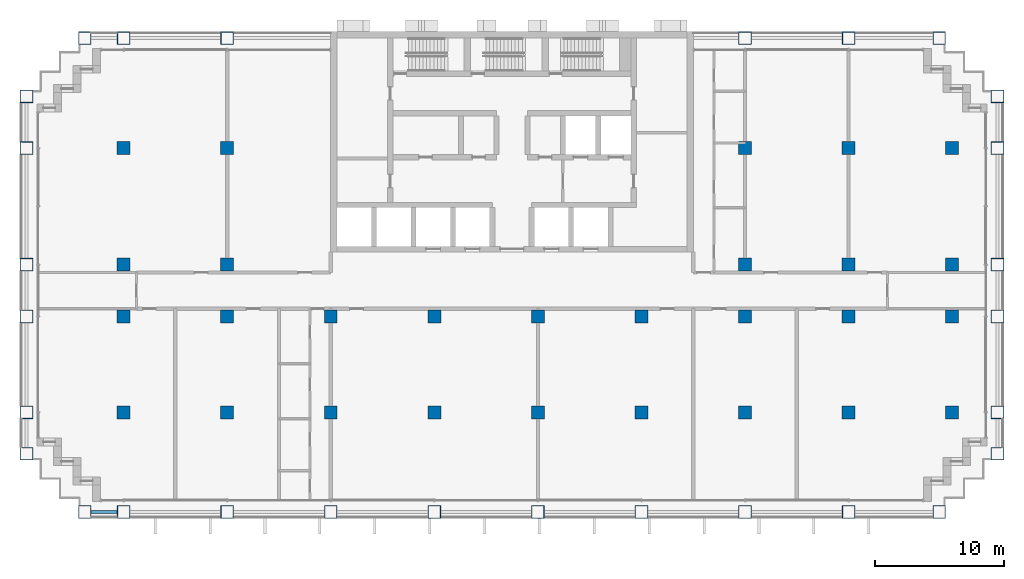
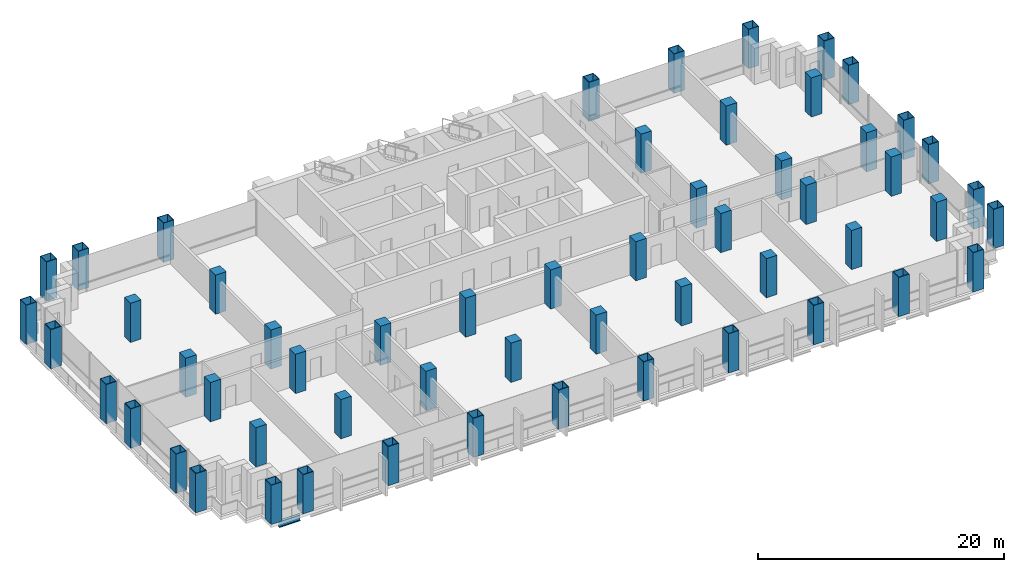
# One storey, part 1 of 13: 56 columns, 1 beam.
"""IFC4 building model written with IfcOpenShell, lengths in metres."""

from ifc_helpers import new_model, si_unit, direction, frame, origin, origin_2d, place, context, subcontext, project, spatial, rectangle, hollow_rectangle, i_section, extrude, material, material_profile, profile_set, type_object, element, save


model = new_model("IFC4")

# Units and contexts
model_context = context("Model", 3, precision=1e-05, world=origin(), true_north=direction((0.0, 1.0)))
body_context = subcontext(model_context, "Body", "Model", "MODEL_VIEW")
ifc_project = project(units=[si_unit("LENGTHUNIT", "METRE"), si_unit("AREAUNIT", "SQUARE_METRE"), si_unit("VOLUMEUNIT", "CUBIC_METRE"), si_unit("PLANEANGLEUNIT", "RADIAN"), si_unit("MASSUNIT", "GRAM", prefix="KILO")], contexts=[model_context])

# Site, building, storey
site_placement = place(None, origin())
site = spatial("IfcSite", under=ifc_project, at=site_placement, CompositionType="ELEMENT")
building_placement = place(site_placement, origin())
building = spatial("IfcBuilding", under=site, at=building_placement, Name="Vidyagriha Tower", CompositionType="ELEMENT")
storey_placement = place(building_placement, frame((0.0, 0.0, 29.89990234375)))
storey = spatial("IfcBuildingStorey", under=building, at=storey_placement, Name="L07", CompositionType="ELEMENT", Elevation=29.89990234375)

# Columns
ifc_material_1 = material(Name="Steel ASTM A572 Grade 50", Category="steel")
ifc_material_profile_1 = material_profile(ifc_material_1, hollow_rectangle(XDim=1.0, YDim=1.0, WallThickness=0.050048828125, at=origin_2d()), Name="BOX 1000x1000x50")
ifc_profile_set_1 = profile_set([ifc_material_profile_1], Name="Steel ASTM A572 Grade 50")
column_type_1 = type_object("IfcColumnType", Name="Exoskeleton column BOX 1000x1000x50", PredefinedType="COLUMN", material=ifc_profile_set_1)
for number, where, name in (
    (1, (-33.0, -17.10009765625, 0.0), "st-col-L07-B1-001"),
    (2, (-30.0, -17.10009765625, 0.0), "st-col-L07-B1-002"),
    (3, (-22.0, -17.10009765625, 0.0), "st-col-L07-B1-003"),
    (4, (-14.0, -17.10009765625, 0.0), "st-col-L07-B1-004"),
    (5, (-6.0, -17.10009765625, 0.0), "st-col-L07-B1-005"),
    (6, (2.0, -17.10009765625, 0.0), "st-col-L07-B1-006"),
    (7, (10.0, -17.10009765625, 0.0), "st-col-L07-B1-007"),
    (8, (18.0, -17.10009765625, 0.0), "st-col-L07-B1-008"),
    (9, (26.0, -17.10009765625, 0.0), "st-col-L07-B1-009"),
    (10, (33.0, -17.10009765625, 0.0), "st-col-L07-B1-010"),
    (11, (-37.5, -12.60009765625, 0.0), "st-col-L07-B1-011"),
    (12, (37.5, -12.60009765625, 0.0), "st-col-L07-B1-012"),
    (13, (-37.5, -9.39990234375, 0.0), "st-col-L07-B1-013"),
    (14, (37.5, -9.39990234375, 0.0), "st-col-L07-B1-023"),
    (15, (-37.5, -2.0, 0.0), "st-col-L07-B1-024"),
    (16, (37.5, -2.0, 0.0), "st-col-L07-B1-034"),
    (17, (-37.5, 2.0, 0.0), "st-col-L07-B1-035"),
    (18, (37.5, 2.0, 0.0), "st-col-L07-B1-041"),
    (19, (-37.5, 11.0, 0.0), "st-col-L07-B1-042"),
    (20, (37.5, 11.0, 0.0), "st-col-L07-B1-048"),
    (21, (-37.5, 15.0, 0.0), "st-col-L07-B1-049"),
    (22, (37.5, 15.0, 0.0), "st-col-L07-B1-050"),
    (23, (-33.0, 19.5, 0.0), "st-col-L07-B1-051"),
    (24, (-30.0, 19.5, 0.0), "st-col-L07-B1-052"),
    (25, (-22.0, 19.5, 0.0), "st-col-L07-B1-053"),
    (26, (18.0, 19.5, 0.0), "st-col-L07-B1-054"),
    (27, (26.0, 19.5, 0.0), "st-col-L07-B1-055"),
    (28, (33.0, 19.5, 0.0), "st-col-L07-B1-056"),
):
    element("IfcColumn", number, at=place(storey_placement, frame(where)), inside=storey, type_object=column_type_1, Name=name, PredefinedType="COLUMN", context=body_context, shape_type="SweptSolid", body=[
        extrude(hollow_rectangle(XDim=1.0, YDim=1.0, WallThickness=0.050048828125, at=origin_2d()), origin(), (0.0, 0.0, 1.0), 3.900146484375),
    ])
ifc_material_2 = material(Name="Concrete C80/95", Category="concrete")
ifc_material_profile_2 = material_profile(ifc_material_2, rectangle(XDim=1.0, YDim=1.0, at=origin_2d()), Name="RC 1000x1000")
ifc_profile_set_2 = profile_set([ifc_material_profile_2], Name="Concrete C80/95")
column_type_2 = type_object("IfcColumnType", Name="Frame column RC 1000x1000", PredefinedType="COLUMN", material=ifc_profile_set_2)
for number, where, name in (
    (29, (-30.0, -9.39990234375, 0.0), "st-col-L07-B1-014"),
    (30, (-22.0, -9.39990234375, 0.0), "st-col-L07-B1-015"),
    (31, (-14.0, -9.39990234375, 0.0), "st-col-L07-B1-016"),
    (32, (-6.0, -9.39990234375, 0.0), "st-col-L07-B1-017"),
    (33, (2.0, -9.39990234375, 0.0), "st-col-L07-B1-018"),
    (34, (10.0, -9.39990234375, 0.0), "st-col-L07-B1-019"),
    (35, (18.0, -9.39990234375, 0.0), "st-col-L07-B1-020"),
    (36, (26.0, -9.39990234375, 0.0), "st-col-L07-B1-021"),
    (37, (34.0, -9.39990234375, 0.0), "st-col-L07-B1-022"),
    (38, (-30.0, -2.0, 0.0), "st-col-L07-B1-025"),
    (39, (-22.0, -2.0, 0.0), "st-col-L07-B1-026"),
    (40, (-14.0, -2.0, 0.0), "st-col-L07-B1-027"),
    (41, (-6.0, -2.0, 0.0), "st-col-L07-B1-028"),
    (42, (2.0, -2.0, 0.0), "st-col-L07-B1-029"),
    (43, (10.0, -2.0, 0.0), "st-col-L07-B1-030"),
    (44, (18.0, -2.0, 0.0), "st-col-L07-B1-031"),
    (45, (26.0, -2.0, 0.0), "st-col-L07-B1-032"),
    (46, (34.0, -2.0, 0.0), "st-col-L07-B1-033"),
    (47, (-30.0, 2.0, 0.0), "st-col-L07-B1-036"),
    (48, (-22.0, 2.0, 0.0), "st-col-L07-B1-037"),
    (49, (18.0, 2.0, 0.0), "st-col-L07-B1-038"),
    (50, (26.0, 2.0, 0.0), "st-col-L07-B1-039"),
    (51, (34.0, 2.0, 0.0), "st-col-L07-B1-040"),
    (52, (-30.0, 11.0, 0.0), "st-col-L07-B1-043"),
    (53, (-22.0, 11.0, 0.0), "st-col-L07-B1-044"),
    (54, (18.0, 11.0, 0.0), "st-col-L07-B1-045"),
    (55, (26.0, 11.0, 0.0), "st-col-L07-B1-046"),
    (56, (34.0, 11.0, 0.0), "st-col-L07-B1-047"),
):
    element("IfcColumn", number, at=place(storey_placement, frame(where)), inside=storey, type_object=column_type_2, Name=name, PredefinedType="COLUMN", context=body_context, shape_type="SweptSolid", body=[
        extrude(rectangle(XDim=1.0, YDim=1.0, at=origin_2d()), origin(), (0.0, 0.0, 1.0), 3.900146484375),
    ])

# Beam
ifc_material_3 = material(Name="Steel ASTM A992 Grade 50", Category="steel")
ifc_material_profile_3 = material_profile(ifc_material_3, i_section(OverallWidth=0.228271484375, OverallDepth=0.607177734375, WebThickness=0.01123046875, FlangeThickness=0.017333984375, at=origin_2d()), Name="W24X76")
ifc_profile_set_3 = profile_set([ifc_material_profile_3], Name="Steel ASTM A992 Grade 50")
beam_type = type_object("IfcBeamType", Name="Edge beam W24X76", PredefinedType="SPANDREL", material=ifc_profile_set_3)
beam_placement = place(storey_placement, frame((-32.5, -17.10009765625, -0.603515625), z_axis=(1.0, 0.0, 0.0), x_axis=(0.0, 1.0, 0.0)))
element("IfcBeam", 57, at=beam_placement, inside=storey, type_object=beam_type, Name="st-beam-L07-S01", PredefinedType="SPANDREL", context=body_context, shape_type="SweptSolid", body=[
    extrude(i_section(OverallWidth=0.228271484375, OverallDepth=0.607177734375, WebThickness=0.01123046875, FlangeThickness=0.017333984375, at=origin_2d()), origin(), (0.0, 0.0, 1.0), 2.0),
])

save(model, "model.ifc")
